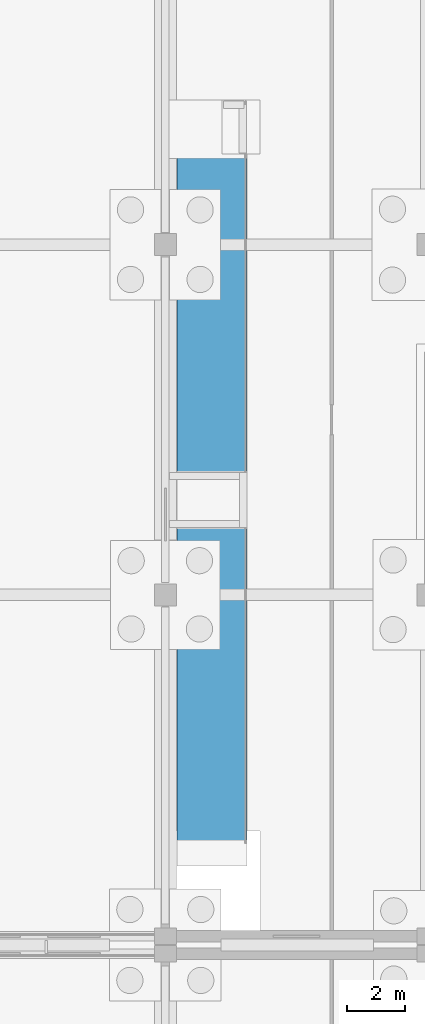
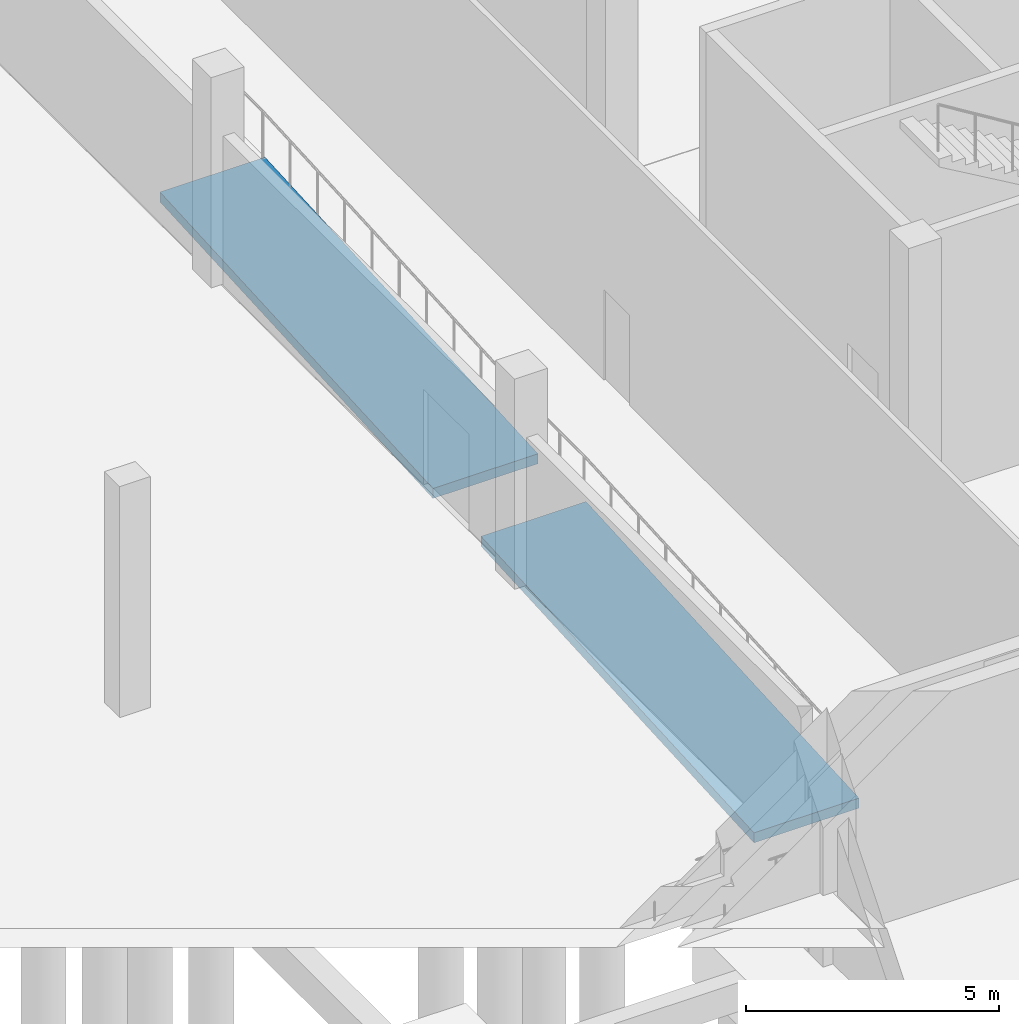
# One storey, part 77 of 99: 2 ramp flights, 1 element without a shape of its own.
"""IFC4 building model written with IfcOpenShell, lengths in metres."""

from ifc_helpers import new_model, si_unit, direction, frame, origin, place, context, subcontext, project, spatial, polyline, outline, extrude, material, layer, layer_set, type_object, element, aggregate, save


model = new_model("IFC4")

# Units and contexts
model_context = context("Model", 3, precision=1e-05, world=origin(), true_north=direction((0.0, 1.0)))
body_context = subcontext(model_context, "Body", "Model", "MODEL_VIEW")
ifc_project = project(units=[si_unit("LENGTHUNIT", "METRE"), si_unit("AREAUNIT", "SQUARE_METRE"), si_unit("VOLUMEUNIT", "CUBIC_METRE"), si_unit("PLANEANGLEUNIT", "RADIAN"), si_unit("MASSUNIT", "GRAM", prefix="KILO")], contexts=[model_context])

# Site, building, storey
site_placement = place(None, origin())
site = spatial("IfcSite", under=ifc_project, at=site_placement, CompositionType="ELEMENT")
building_placement = place(site_placement, origin())
building = spatial("IfcBuilding", under=site, at=building_placement, Name="Zacnel Wholesale Market", CompositionType="ELEMENT")
storey_placement = place(building_placement, origin())
storey = spatial("IfcBuildingStorey", under=building, at=storey_placement, Name="L01", CompositionType="ELEMENT", Elevation=0.0)

# Ramp, ramp flights
ifc_material_1 = material(Name="Precast concrete C45/55", Category="concrete")
ramp_type = type_object("IfcRampType", Name="RMP-STR-RUN-2400", PredefinedType="STRAIGHT_RUN_RAMP", material=ifc_material_1)
ramp_placement = place(storey_placement, origin())
ramp = element("IfcRamp", 1, at=ramp_placement, inside=storey, type_object=ramp_type, Name="Accessible ramp RP-01 (RMP-DOCK-N)", PredefinedType="STRAIGHT_RUN_RAMP")
ifc_material_2 = material(Name="Precast concrete C45/55", Category="concrete")
ifc_layer = layer(ifc_material_2, 0.239990234375)
ifc_layer_set = layer_set([ifc_layer], Name="Precast concrete C45/55")
ramp_flight_type = type_object("IfcRampFlightType", Name="RFLT-PC-2400", PredefinedType="STRAIGHT", material=ifc_layer_set)
ramp_flight_1_placement = place(storey_placement, frame((19.60009765625, 99.5, 0.0), z_axis=(0.0, 0.0, 1.0), x_axis=(0.0, 1.0, 0.0)))
ramp_flight_1 = element("IfcRampFlight", 2, at=ramp_flight_1_placement, type_object=ramp_flight_type, Name="Accessible ramp RP-01 (RMP-DOCK-N) flight 1", PredefinedType="STRAIGHT", context=body_context, shape_type="SweptSolid", body=[
    extrude(outline(polyline([(0.0, 0.0), (10.800048828125, 0.612548828125), (10.800048828125, 0.37255859375), (0.0, -0.239990234375), (0.0, 0.0)])), frame((0.0, 1.199951171875, 0.0), z_axis=(0.0, -1.0, 0.0), x_axis=(1.0, 0.0, 0.0)), (0.0, 0.0, 1.0), 2.39990234375),
])
ramp_flight_2_placement = place(storey_placement, frame((19.60009765625, 112.199951171875, 0.612548828125), z_axis=(0.0, 0.0, 1.0), x_axis=(0.0, 1.0, 0.0)))
ramp_flight_2 = element("IfcRampFlight", 3, at=ramp_flight_2_placement, type_object=ramp_flight_type, Name="Accessible ramp RP-01 (RMP-DOCK-N) flight 2", PredefinedType="STRAIGHT", context=body_context, shape_type="SweptSolid", body=[
    extrude(outline(polyline([(0.0, 0.0), (10.800048828125, 0.612548828125), (10.800048828125, 0.37255859375), (0.0, -0.239990234375), (0.0, 0.0)])), frame((0.0, 1.199951171875, 0.0), z_axis=(0.0, -1.0, 0.0), x_axis=(1.0, 0.0, 0.0)), (0.0, 0.0, 1.0), 2.39990234375),
])
aggregate(ramp, [ramp_flight_1, ramp_flight_2])

save(model, "model.ifc")
